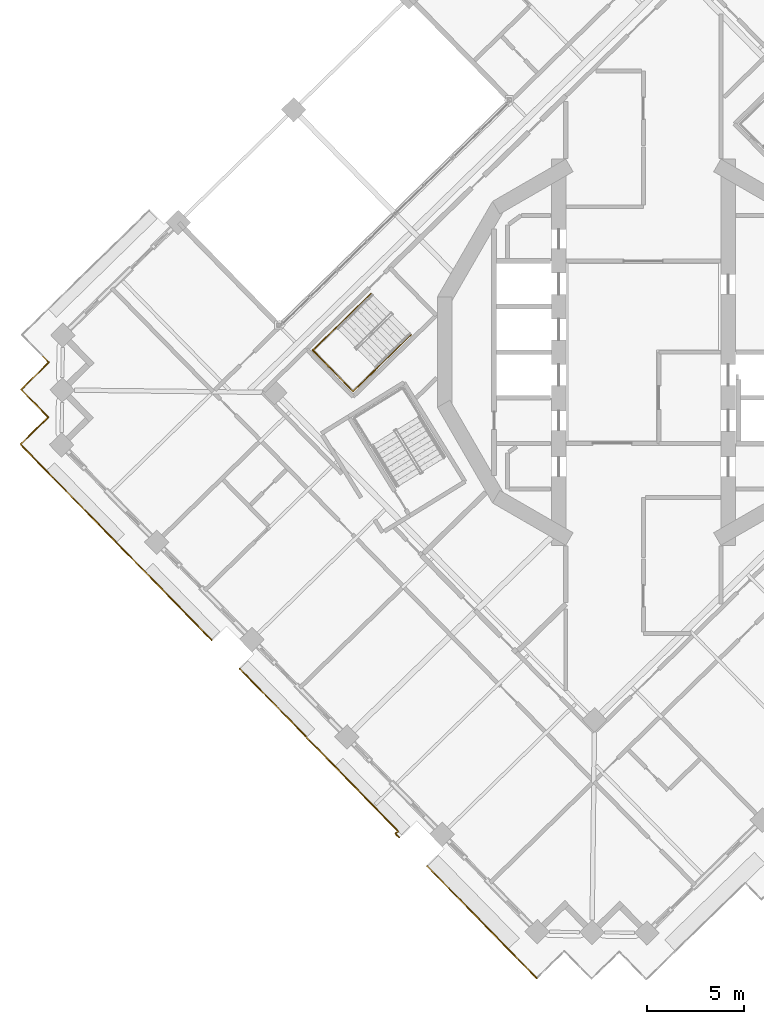
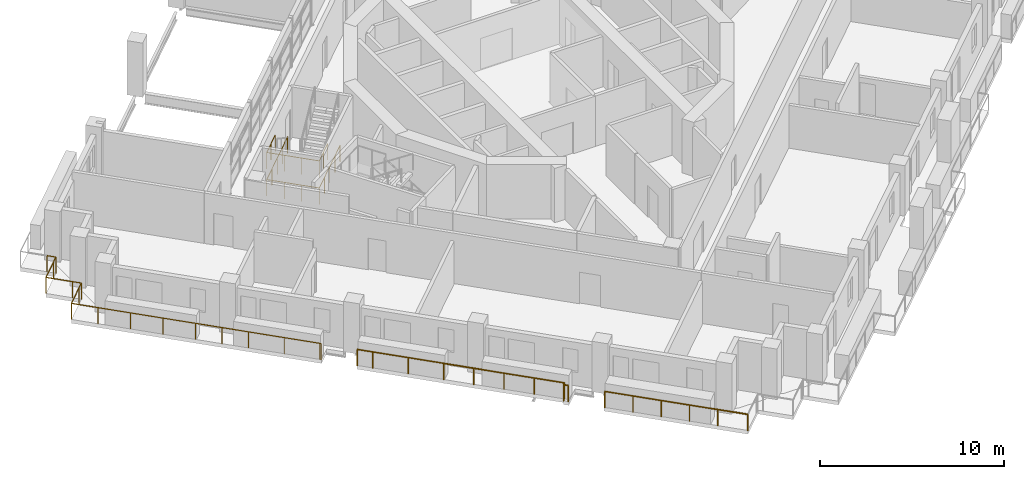
# One storey, part 16 of 21: 5 railings.
"""IFC4 building model written with IfcOpenShell, lengths in metres."""

import ifcopenshell
import ifcopenshell.guid

model = None  # the IFC model being written
_history = None  # IfcOwnerHistory: only IFC2X3 demands one
_inside = {}  # id of a spatial element -> (the spatial element, [elements in it])
_under = {}  # id of a project, library or spatial element -> (it, [spatial elements below it])
_declared = {}  # id of a project -> (the project, [libraries it declares])
_typed = {}  # id of a type object -> (the type object, [elements of that type])
_made_of = {}  # id of a material, layer set ... -> (it, [elements and type objects made of it])


def new_model(schema):
    """Start an empty IFC model of exactly this schema.

    Asked for "IFC4X3", IfcOpenShell would pick the latest addendum, in which some entities
    have other attributes; the version numbers below select the first issue.
    IFC2X3 requires an IfcOwnerHistory on every rooted entity: one is made here for all.
    """
    global model, _history
    if schema == "IFC4X3":
        model = ifcopenshell.file(schema_version=(4, 3, 0, 0))
    else:
        model = ifcopenshell.file(schema=schema)
    _inside.clear()
    _under.clear()
    _declared.clear()
    _typed.clear()
    _made_of.clear()
    _history = None
    if model.schema == "IFC2X3":
        org = make("IfcOrganization", Name="unknown")
        user = make(
            "IfcPersonAndOrganization",
            ThePerson=make("IfcPerson", FamilyName="unknown"),
            TheOrganization=org,
        )
        app = make(
            "IfcApplication",
            ApplicationDeveloper=org,
            Version="unknown",
            ApplicationFullName="unknown",
            ApplicationIdentifier="unknown",
        )
        _history = make(
            "IfcOwnerHistory",
            OwningUser=user,
            OwningApplication=app,
            ChangeAction="ADDED",
            CreationDate=0,
        )
    return model


def make(cls, **values):
    """One entity of the class cls with the attributes given. An attribute that is None is left unset."""
    return model.create_entity(
        cls, **{name: value for name, value in values.items() if value is not None}
    )


def rooted(cls, **values):
    """An entity with a GlobalId (a new one), such as an element, a storey or a relation."""
    return make(cls, GlobalId=ifcopenshell.guid.new(), OwnerHistory=_history, **values)


def si_unit(unit_type, name, prefix=None):
    """IfcSIUnit, for example si_unit("LENGTHUNIT", "METRE", prefix="MILLI")."""
    return make("IfcSIUnit", UnitType=unit_type, Prefix=prefix, Name=name)


def assignment(units):
    """IfcUnitAssignment: the units of a project."""
    return None if units is None else make("IfcUnitAssignment", Units=units)


def point(xyz):
    """IfcCartesianPoint."""
    return None if xyz is None else make("IfcCartesianPoint", Coordinates=xyz)


def direction(xyz):
    """IfcDirection."""
    return None if xyz is None else make("IfcDirection", DirectionRatios=xyz)


def frame(location, z_axis=None, x_axis=None):
    """IfcAxis2Placement3D, a coordinate frame: its origin and axes. An axis left out is left unset."""
    return make(
        "IfcAxis2Placement3D",
        Location=point(location),
        Axis=direction(z_axis),
        RefDirection=direction(x_axis),
    )


def frame_2d(location, x_axis=None):
    """IfcAxis2Placement2D, a coordinate frame in the plane: its origin and x axis."""
    return make(
        "IfcAxis2Placement2D", Location=point(location), RefDirection=direction(x_axis)
    )


def origin():
    """The frame at (0, 0, 0) with its axes left unset."""
    return frame((0.0, 0.0, 0.0))


def origin_2d():
    """The frame at (0, 0) in the plane with its x axis left unset."""
    return frame_2d((0.0, 0.0))


def place(relative_to, where):
    """IfcLocalPlacement: puts the frame where relative to a parent placement (None: the world)."""
    return make(
        "IfcLocalPlacement", PlacementRelTo=relative_to, RelativePlacement=where
    )


def context(
    kind, dimensions, precision=None, world=None, true_north=None, identifier=None
):
    """IfcGeometricRepresentationContext, for example the 3D "Model" context."""
    return make(
        "IfcGeometricRepresentationContext",
        ContextIdentifier=identifier,
        ContextType=kind,
        CoordinateSpaceDimension=dimensions,
        Precision=precision,
        WorldCoordinateSystem=world,
        TrueNorth=true_north,
    )


def subcontext(parent, identifier, kind, view, scale=None):
    """IfcGeometricRepresentationSubContext, for example "Body" below "Model"."""
    return make(
        "IfcGeometricRepresentationSubContext",
        ContextIdentifier=identifier,
        ContextType=kind,
        ParentContext=parent,
        TargetScale=scale,
        TargetView=view,
    )


def project(units=None, contexts=None):
    """IfcProject with its units and contexts."""
    return rooted(
        "IfcProject",
        Name="project",
        RepresentationContexts=contexts,
        UnitsInContext=assignment(units),
    )


def spatial(cls, under=None, at=None, **own):
    """A site, building, storey or space (cls), placed at a placement, below another one or the project."""
    s = rooted(cls, ObjectPlacement=at, **own)
    if under is not None:
        _under.setdefault(under.id(), (under, []))[1].append(s)
    return s


def profile(cls, at=None, kind="AREA", **sizes):
    """A parametric profile (cls). Its sizes go by their IFC names, for example OverallWidth=200.0."""
    return make(cls, ProfileType=kind, Position=at, **sizes)


def circle(**sizes):
    """IfcCircleProfileDef."""
    return profile("IfcCircleProfileDef", **sizes)


def extrude(swept, where, along, depth):
    """IfcExtrudedAreaSolid: the profile swept, set in the frame where, extruded along a direction by depth."""
    return make(
        "IfcExtrudedAreaSolid",
        SweptArea=swept,
        Position=where,
        ExtrudedDirection=direction(along),
        Depth=depth,
    )


def shape(context_of_items, identifier, shape_type, items):
    """IfcShapeRepresentation: the items that make up one representation, for example the "Body"."""
    return make(
        "IfcShapeRepresentation",
        ContextOfItems=context_of_items,
        RepresentationIdentifier=identifier,
        RepresentationType=shape_type,
        Items=items,
    )


def material(Name=None, Category=None):
    """IfcMaterial."""
    return make("IfcMaterial", Name=Name, Category=Category)


def made_of(thing, what):
    """Note that an element or type object is made of a material, layer set ...; save() writes the relation."""
    if what is not None:
        _made_of.setdefault(what.id(), (what, []))[1].append(thing)
    return thing


def type_object(cls, material=None, **own):
    """A type object (cls), such as IfcWallType, which elements share."""
    return made_of(rooted(cls, **own), material)


def element(
    cls,
    number,
    at=None,
    inside=None,
    cuts=None,
    type_object=None,
    material=None,
    context=None,
    identifier="Body",
    shape_type=None,
    held_by="IfcProductDefinitionShape",
    body=None,
    shapes=None,
    **own,
):
    """One element of the class cls, such as IfcWall. Its Tag is "e" and its number.

    at: its placement. inside: the storey or other place that contains it. cuts: it is an
    opening in that element (IfcRelVoidsElement). A single representation is given by context,
    identifier, shape_type and body (its items); several are given by shapes. held_by: the class
    of the entity that holds the representations. save() writes the other relations.
    """
    e = rooted(cls, Tag="e%d" % number, ObjectPlacement=at, **own)
    if body is not None:
        shapes = [shape(context, identifier, shape_type, body)]
    if shapes is not None:
        e.Representation = make(held_by, Representations=shapes)
    if inside is not None:
        _inside.setdefault(inside.id(), (inside, []))[1].append(e)
    if cuts is not None:
        rooted(
            "IfcRelVoidsElement", RelatingBuildingElement=cuts, RelatedOpeningElement=e
        )
    if type_object is not None:
        _typed.setdefault(type_object.id(), (type_object, []))[1].append(e)
    return made_of(e, material)


def aggregate(whole, parts):
    """IfcRelAggregates: a whole, such as a stair, and the parts it consists of."""
    return rooted("IfcRelAggregates", RelatingObject=whole, RelatedObjects=parts)


def save(model, path):
    """Write the relations noted so far, then the file.

    IfcRelAggregates (storeys below a building ...), IfcRelContainedInSpatialStructure (elements
    in a storey), IfcRelDefinesByType, IfcRelAssociatesMaterial and IfcRelDeclares: one each for
    every whole, place, type object, material and project.
    """
    for whole, parts in _under.values():
        aggregate(whole, parts)
    for where, things in _inside.values():
        rooted(
            "IfcRelContainedInSpatialStructure",
            RelatedElements=things,
            RelatingStructure=where,
        )
    for kind, things in _typed.values():
        rooted("IfcRelDefinesByType", RelatedObjects=things, RelatingType=kind)
    for what, things in _made_of.values():
        rooted("IfcRelAssociatesMaterial", RelatedObjects=things, RelatingMaterial=what)
    for by, libraries in _declared.values():
        rooted("IfcRelDeclares", RelatingContext=by, RelatedDefinitions=libraries)
    model.write(path)


model = new_model("IFC4")

# Units and contexts
model_context = context("Model", 3, precision=1e-05, world=origin(), true_north=direction((0.0, 1.0)))
body_context = subcontext(model_context, "Body", "Model", "MODEL_VIEW")
ifc_project = project(units=[si_unit("LENGTHUNIT", "METRE"), si_unit("AREAUNIT", "SQUARE_METRE"), si_unit("VOLUMEUNIT", "CUBIC_METRE"), si_unit("PLANEANGLEUNIT", "RADIAN"), si_unit("MASSUNIT", "GRAM", prefix="KILO")], contexts=[model_context])

# Site, building, storey
site_placement = place(None, origin())
site = spatial("IfcSite", under=ifc_project, at=site_placement, CompositionType="ELEMENT")
building_placement = place(site_placement, origin())
building = spatial("IfcBuilding", under=site, at=building_placement, Name="Cantera Rosa Tower", CompositionType="ELEMENT")
storey_placement = place(building_placement, frame((0.0, 0.0, 234.199951171875)))
storey = spatial("IfcBuildingStorey", under=building, at=storey_placement, Name="L51", CompositionType="ELEMENT", Elevation=234.199951171875)

# Railings
ifc_material_1 = material(Name="Stainless steel and laminated glass", Category="steel")
railing_type_1 = type_object("IfcRailingType", Name="GUARD 1100", PredefinedType="BALUSTRADE", material=ifc_material_1)
railing_1_placement = place(storey_placement, frame((-12.595703125, -25.028076171875, 0.0)))
element("IfcRailing", 1, at=railing_1_placement, inside=storey, type_object=railing_type_1, Name="GUARD L51-1", PredefinedType="BALUSTRADE", context=body_context, shape_type="SweptSolid", body=[
    extrude(circle(Radius=0.030029296875, at=origin_2d()), frame((0.0, 0.0, 1.070068359375), z_axis=(-0.698922436913, 0.715197474254, 0.0), x_axis=(-0.715197474254, -0.698922436913, 0.0)), (0.0, 0.0, 1.0), 0.27001953125),
    extrude(circle(Radius=0.030029296875, at=origin_2d()), frame((-0.188720703125, 0.193115234375, 1.070068359375), z_axis=(0.715589832222, 0.698520716958, 0.0), x_axis=(-0.698520716958, 0.715589832222, 0.0)), (0.0, 0.0, 1.0), 0.18603515625),
    extrude(circle(Radius=0.030029296875, at=origin_2d()), frame((-0.0556640625, 0.322998046875, 1.070068359375), z_axis=(-0.698824551526, 0.715293119067, 0.0), x_axis=(-0.715293119067, -0.698824551526, 0.0)), (0.0, 0.0, 1.0), 6.834228515625),
    extrude(circle(Radius=0.030029296875, at=origin_2d()), frame((-4.83154296875, 5.21142578125, 1.070068359375), z_axis=(0.715781948377, 0.698323852075, 0.0), x_axis=(-0.698323852075, 0.715781948377, 0.0)), (0.0, 0.0, 1.0), 0.013916015625),
    extrude(circle(Radius=0.030029296875, at=origin_2d()), frame((-4.821533203125, 5.22119140625, 1.070068359375), z_axis=(-0.698862096229, 0.715256436849, 0.0), x_axis=(-0.715256436849, -0.698862096229, 0.0)), (0.0, 0.0, 1.0), 4.005859375),
    extrude(circle(Radius=0.030029296875, at=origin_2d()), frame((-7.62109375, 8.08642578125, 1.070068359375), z_axis=(-0.698779602308, 0.715337030636, 0.0), x_axis=(-0.715337030636, -0.698779602308, 0.0)), (0.0, 0.0, 1.0), 0.869873046875),
    extrude(circle(Radius=0.02490234375, at=origin_2d()), origin(), (0.0, 0.0, 1.0), 1.0400390625),
    extrude(circle(Radius=0.02490234375, at=origin_2d()), frame((-0.188720703125, 0.193115234375, 0.0)), (0.0, 0.0, 1.0), 1.0400390625),
    extrude(circle(Radius=0.02490234375, at=origin_2d()), frame((-0.0556640625, 0.322998046875, 0.0)), (0.0, 0.0, 1.0), 1.0400390625),
    extrude(circle(Radius=0.02490234375, at=origin_2d()), frame((-1.24951171875, 1.545166015625, 0.0)), (0.0, 0.0, 1.0), 1.0400390625),
    extrude(circle(Radius=0.02490234375, at=origin_2d()), frame((-2.443603515625, 2.76708984375, 0.0)), (0.0, 0.0, 1.0), 1.0400390625),
    extrude(circle(Radius=0.02490234375, at=origin_2d()), frame((-3.6376953125, 3.9892578125, 0.0)), (0.0, 0.0, 1.0), 1.0400390625),
    extrude(circle(Radius=0.02490234375, at=origin_2d()), frame((-4.83154296875, 5.21142578125, 0.0)), (0.0, 0.0, 1.0), 1.0400390625),
    extrude(circle(Radius=0.02490234375, at=origin_2d()), frame((-4.821533203125, 5.22119140625, 0.0)), (0.0, 0.0, 1.0), 1.0400390625),
    extrude(circle(Radius=0.02490234375, at=origin_2d()), frame((-6.22119140625, 6.65380859375, 0.0)), (0.0, 0.0, 1.0), 1.0400390625),
    extrude(circle(Radius=0.02490234375, at=origin_2d()), frame((-7.62109375, 8.08642578125, 0.0)), (0.0, 0.0, 1.0), 1.0400390625),
    extrude(circle(Radius=0.02490234375, at=origin_2d()), frame((-8.22900390625, 8.708740234375, 0.0)), (0.0, 0.0, 1.0), 1.0400390625),
])
railing_2_placement = place(storey_placement, frame((-22.26416015625, -14.845703125, 0.0)))
element("IfcRailing", 2, at=railing_2_placement, inside=storey, type_object=railing_type_1, Name="GUARD L51-3", PredefinedType="BALUSTRADE", context=body_context, shape_type="SweptSolid", body=[
    extrude(circle(Radius=0.030029296875, at=origin_2d()), frame((0.0, 0.0, 1.070068359375), z_axis=(-0.700106234421, 0.714038696798, 0.0), x_axis=(-0.714038696798, -0.700106234421, 0.0)), (0.0, 0.0, 1.0), 0.070068359375),
    extrude(circle(Radius=0.030029296875, at=origin_2d()), frame((-0.049072265625, 0.050048828125, 1.070068359375), z_axis=(-0.698829866575, 0.715287926351, 0.0), x_axis=(-0.715287926351, -0.698829866575, 0.0)), (0.0, 0.0, 1.0), 4.02001953125),
    extrude(circle(Radius=0.030029296875, at=origin_2d()), frame((-2.8583984375, 2.925537109375, 1.070068359375), z_axis=(-0.698839281014, 0.715278728407, 0.0), x_axis=(-0.715278728407, -0.698839281014, 0.0)), (0.0, 0.0, 1.0), 3.0),
    extrude(circle(Radius=0.030029296875, at=origin_2d()), frame((-4.954833984375, 5.0712890625, 1.070068359375), z_axis=(-0.698810055914, 0.715307280652, 0.0), x_axis=(-0.715307280652, -0.698810055914, 0.0)), (0.0, 0.0, 1.0), 5.52001953125),
    extrude(circle(Radius=0.030029296875, at=origin_2d()), frame((-8.812255859375, 9.019775390625, 1.070068359375), z_axis=(-0.698921594874, 0.71519829713, 0.0), x_axis=(-0.71519829713, -0.698921594874, 0.0)), (0.0, 0.0, 1.0), 1.5),
    extrude(circle(Radius=0.030029296875, at=origin_2d()), frame((-9.860595703125, 10.092529296875, 1.070068359375), z_axis=(0.715277793538, 0.698840237873, 0.0), x_axis=(-0.698840237873, 0.715277793538, 0.0)), (0.0, 0.0, 1.0), 1.5),
    extrude(circle(Radius=0.030029296875, at=origin_2d()), frame((-8.78759765625, 11.140869140625, 1.070068359375), z_axis=(0.715359149995, 0.698756958118, 0.0), x_axis=(-0.698756958118, 0.715359149995, 0.0)), (0.0, 0.0, 1.0), 0.5),
    extrude(circle(Radius=0.030029296875, at=origin_2d()), frame((-8.429931640625, 11.490234375, 1.070068359375), z_axis=(-0.699006712162, 0.715115107065, 0.0), x_axis=(-0.715115107065, -0.699006712162, 0.0)), (0.0, 0.0, 1.0), 0.500244140625),
    extrude(circle(Radius=0.030029296875, at=origin_2d()), frame((-8.779541015625, 11.847900390625, 1.070068359375), z_axis=(-0.698756958118, 0.715359149995, 0.0), x_axis=(-0.715359149995, -0.698756958118, 0.0)), (0.0, 0.0, 1.0), 1.5),
    extrude(circle(Radius=0.030029296875, at=origin_2d()), frame((-9.82763671875, 12.9208984375, 1.070068359375), z_axis=(0.71519829713, 0.698921594874, 0.0), x_axis=(-0.698921594874, 0.71519829713, 0.0)), (0.0, 0.0, 1.0), 1.5),
    extrude(circle(Radius=0.030029296875, at=origin_2d()), frame((-8.7548828125, 13.96923828125, 1.070068359375), z_axis=(0.715359149995, 0.698756958118, 0.0), x_axis=(-0.698756958118, 0.715359149995, 0.0)), (0.0, 0.0, 1.0), 0.5),
    extrude(circle(Radius=0.030029296875, at=origin_2d()), frame((-8.397216796875, 14.318603515625, 1.070068359375), z_axis=(-0.698756958118, 0.715359149995, 0.0), x_axis=(-0.715359149995, -0.698756958118, 0.0)), (0.0, 0.0, 1.0), 0.5),
    extrude(circle(Radius=0.02490234375, at=origin_2d()), origin(), (0.0, 0.0, 1.0), 1.0400390625),
    extrude(circle(Radius=0.02490234375, at=origin_2d()), frame((-0.049072265625, 0.050048828125, 0.0)), (0.0, 0.0, 1.0), 1.0400390625),
    extrude(circle(Radius=0.02490234375, at=origin_2d()), frame((-1.45361328125, 1.48779296875, 0.0)), (0.0, 0.0, 1.0), 1.0400390625),
    extrude(circle(Radius=0.02490234375, at=origin_2d()), frame((-2.8583984375, 2.925537109375, 0.0)), (0.0, 0.0, 1.0), 1.0400390625),
    extrude(circle(Radius=0.02490234375, at=origin_2d()), frame((-3.90673828125, 3.99853515625, 0.0)), (0.0, 0.0, 1.0), 1.0400390625),
    extrude(circle(Radius=0.02490234375, at=origin_2d()), frame((-4.954833984375, 5.0712890625, 0.0)), (0.0, 0.0, 1.0), 1.0400390625),
    extrude(circle(Radius=0.02490234375, at=origin_2d()), frame((-6.24072265625, 6.387451171875, 0.0)), (0.0, 0.0, 1.0), 1.0400390625),
    extrude(circle(Radius=0.02490234375, at=origin_2d()), frame((-7.5263671875, 7.70361328125, 0.0)), (0.0, 0.0, 1.0), 1.0400390625),
    extrude(circle(Radius=0.02490234375, at=origin_2d()), frame((-8.812255859375, 9.019775390625, 0.0)), (0.0, 0.0, 1.0), 1.0400390625),
    extrude(circle(Radius=0.02490234375, at=origin_2d()), frame((-9.860595703125, 10.092529296875, 0.0)), (0.0, 0.0, 1.0), 1.0400390625),
    extrude(circle(Radius=0.02490234375, at=origin_2d()), frame((-8.78759765625, 11.140869140625, 0.0)), (0.0, 0.0, 1.0), 1.0400390625),
    extrude(circle(Radius=0.02490234375, at=origin_2d()), frame((-8.429931640625, 11.490234375, 0.0)), (0.0, 0.0, 1.0), 1.0400390625),
    extrude(circle(Radius=0.02490234375, at=origin_2d()), frame((-8.779541015625, 11.847900390625, 0.0)), (0.0, 0.0, 1.0), 1.0400390625),
    extrude(circle(Radius=0.02490234375, at=origin_2d()), frame((-9.82763671875, 12.9208984375, 0.0)), (0.0, 0.0, 1.0), 1.0400390625),
    extrude(circle(Radius=0.02490234375, at=origin_2d()), frame((-8.7548828125, 13.96923828125, 0.0)), (0.0, 0.0, 1.0), 1.0400390625),
    extrude(circle(Radius=0.02490234375, at=origin_2d()), frame((-8.397216796875, 14.318603515625, 0.0)), (0.0, 0.0, 1.0), 1.0400390625),
    extrude(circle(Radius=0.02490234375, at=origin_2d()), frame((-8.74658203125, 14.67626953125, 0.0)), (0.0, 0.0, 1.0), 1.0400390625),
])
railing_3_placement = place(storey_placement, frame((-5.502685546875, -32.288330078125, 0.0)))
element("IfcRailing", 3, at=railing_3_placement, inside=storey, type_object=railing_type_1, Name="GUARD L51-6", PredefinedType="BALUSTRADE", context=body_context, shape_type="SweptSolid", body=[
    extrude(circle(Radius=0.030029296875, at=origin_2d()), frame((0.0, 0.0, 1.070068359375), z_axis=(-0.69880105094, 0.715316077832, 0.0), x_axis=(-0.715316077832, -0.69880105094, 0.0)), (0.0, 0.0, 1.0), 1.699951171875),
    extrude(circle(Radius=0.030029296875, at=origin_2d()), frame((-1.18798828125, 1.216064453125, 1.070068359375), z_axis=(-0.698825008445, 0.715292672668, 0.0), x_axis=(-0.715292672668, -0.698825008445, 0.0)), (0.0, 0.0, 1.0), 6.389892578125),
    extrude(circle(Radius=0.02490234375, at=origin_2d()), origin(), (0.0, 0.0, 1.0), 1.0400390625),
    extrude(circle(Radius=0.02490234375, at=origin_2d()), frame((-1.18798828125, 1.216064453125, 0.0)), (0.0, 0.0, 1.0), 1.0400390625),
    extrude(circle(Radius=0.02490234375, at=origin_2d()), frame((-2.30419921875, 2.358642578125, 0.0)), (0.0, 0.0, 1.0), 1.0400390625),
    extrude(circle(Radius=0.02490234375, at=origin_2d()), frame((-3.420654296875, 3.50146484375, 0.0)), (0.0, 0.0, 1.0), 1.0400390625),
    extrude(circle(Radius=0.02490234375, at=origin_2d()), frame((-4.537109375, 4.64404296875, 0.0)), (0.0, 0.0, 1.0), 1.0400390625),
    extrude(circle(Radius=0.02490234375, at=origin_2d()), frame((-5.6533203125, 5.78662109375, 0.0)), (0.0, 0.0, 1.0), 1.0400390625),
])
ifc_material_2 = material(Name="Steel S355J2 (EN 10025-2)", Category="steel")
railing_type_2 = type_object("IfcRailingType", Name="STAIR GUARD 1100", PredefinedType="GUARDRAIL", material=ifc_material_2)
railing_4_placement = place(storey_placement, frame((-14.044921875, 3.0322265625, 0.0)))
element("IfcRailing", 4, at=railing_4_placement, inside=storey, type_object=railing_type_2, Name="L51 ST-43 stair guard 4", PredefinedType="GUARDRAIL", context=body_context, shape_type="SweptSolid", body=[
    extrude(circle(Radius=0.02392578125, at=origin_2d()), frame((0.0, 0.0, 1.076171875), z_axis=(-0.715259213566, -0.698859254364, 0.0), x_axis=(0.698859254364, -0.715259213566, 0.0)), (0.0, 0.0, 1.0), 4.197998046875),
    extrude(circle(Radius=0.02392578125, at=origin_2d()), frame((-3.002685546875, -2.933837890625, 1.076171875), z_axis=(0.698838333505, -0.715279654138, 0.0), x_axis=(0.715279654138, 0.698838333505, 0.0)), (0.0, 0.0, 1.0), 2.9697265625),
    extrude(circle(Radius=0.02392578125, at=origin_2d()), frame((-0.92724609375, -5.05810546875, 1.076171875), z_axis=(0.715288284249, 0.698829500247, 0.0), x_axis=(-0.698829500247, 0.715288284249, 0.0)), (0.0, 0.0, 1.0), 4.19775390625),
    extrude(circle(Radius=0.02099609375, at=origin_2d()), origin(), (0.0, 0.0, 1.0), 1.052001953125),
    extrude(circle(Radius=0.02099609375, at=origin_2d()), frame((-0.750732421875, -0.7333984375, 0.0)), (0.0, 0.0, 1.0), 1.052001953125),
    extrude(circle(Radius=0.02099609375, at=origin_2d()), frame((-1.50146484375, -1.466796875, 0.0)), (0.0, 0.0, 1.0), 1.052001953125),
    extrude(circle(Radius=0.02099609375, at=origin_2d()), frame((-2.251953125, -2.200439453125, 0.0)), (0.0, 0.0, 1.0), 1.052001953125),
    extrude(circle(Radius=0.02099609375, at=origin_2d()), frame((-3.002685546875, -2.933837890625, 0.0)), (0.0, 0.0, 1.0), 1.052001953125),
    extrude(circle(Radius=0.02099609375, at=origin_2d()), frame((-2.310791015625, -3.641845703125, 0.0)), (0.0, 0.0, 1.0), 1.052001953125),
    extrude(circle(Radius=0.02099609375, at=origin_2d()), frame((-1.619140625, -4.35009765625, 0.0)), (0.0, 0.0, 1.0), 1.052001953125),
    extrude(circle(Radius=0.02099609375, at=origin_2d()), frame((-0.92724609375, -5.05810546875, 0.0)), (0.0, 0.0, 1.0), 1.052001953125),
    extrude(circle(Radius=0.02099609375, at=origin_2d()), frame((-0.176513671875, -4.32470703125, 0.0)), (0.0, 0.0, 1.0), 1.052001953125),
    extrude(circle(Radius=0.02099609375, at=origin_2d()), frame((0.57421875, -3.59130859375, 0.0)), (0.0, 0.0, 1.0), 1.052001953125),
    extrude(circle(Radius=0.02099609375, at=origin_2d()), frame((1.32470703125, -2.85791015625, 0.0)), (0.0, 0.0, 1.0), 1.052001953125),
    extrude(circle(Radius=0.02099609375, at=origin_2d()), frame((2.075439453125, -2.12451171875, 0.0)), (0.0, 0.0, 1.0), 1.052001953125),
])
railing_5_placement = place(storey_placement, frame((-15.830322265625, 1.287841796875, 1.800048828125)))
element("IfcRailing", 5, at=railing_5_placement, inside=storey, type_object=railing_type_2, Name="L51 ST-43 stair guard 5", PredefinedType="GUARDRAIL", context=body_context, shape_type="SweptSolid", body=[
    extrude(circle(Radius=0.02392578125, at=origin_2d()), frame((0.0, 0.0, 1.076171875), z_axis=(-0.715236090757, -0.698882919007, 0.0), x_axis=(0.698882919007, -0.715236090757, 0.0)), (0.0, 0.0, 1.0), 1.701904296875),
    extrude(circle(Radius=0.02392578125, at=origin_2d()), frame((-1.21728515625, -1.189453125, 1.076171875), z_axis=(0.698838333505, -0.715279654138, 0.0), x_axis=(0.715279654138, 0.698838333505, 0.0)), (0.0, 0.0, 1.0), 2.9697265625),
    extrude(circle(Radius=0.02392578125, at=origin_2d()), frame((0.858154296875, -3.313720703125, 1.076171875), z_axis=(0.715236090757, 0.698882919007, 0.0), x_axis=(-0.698882919007, 0.715236090757, 0.0)), (0.0, 0.0, 1.0), 1.701904296875),
    extrude(circle(Radius=0.02099609375, at=origin_2d()), origin(), (0.0, 0.0, 1.0), 1.052001953125),
    extrude(circle(Radius=0.02099609375, at=origin_2d()), frame((-0.608642578125, -0.5947265625, 0.0)), (0.0, 0.0, 1.0), 1.052001953125),
    extrude(circle(Radius=0.02099609375, at=origin_2d()), frame((-1.21728515625, -1.189453125, 0.0)), (0.0, 0.0, 1.0), 1.052001953125),
    extrude(circle(Radius=0.02099609375, at=origin_2d()), frame((-0.525390625, -1.8974609375, 0.0)), (0.0, 0.0, 1.0), 1.052001953125),
    extrude(circle(Radius=0.02099609375, at=origin_2d()), frame((0.166259765625, -2.605712890625, 0.0)), (0.0, 0.0, 1.0), 1.052001953125),
    extrude(circle(Radius=0.02099609375, at=origin_2d()), frame((0.858154296875, -3.313720703125, 0.0)), (0.0, 0.0, 1.0), 1.052001953125),
    extrude(circle(Radius=0.02099609375, at=origin_2d()), frame((1.466796875, -2.718994140625, 0.0)), (0.0, 0.0, 1.0), 1.052001953125),
    extrude(circle(Radius=0.02099609375, at=origin_2d()), frame((2.075439453125, -2.124267578125, 0.0)), (0.0, 0.0, 1.0), 1.052001953125),
])

save(model, "model.ifc")
